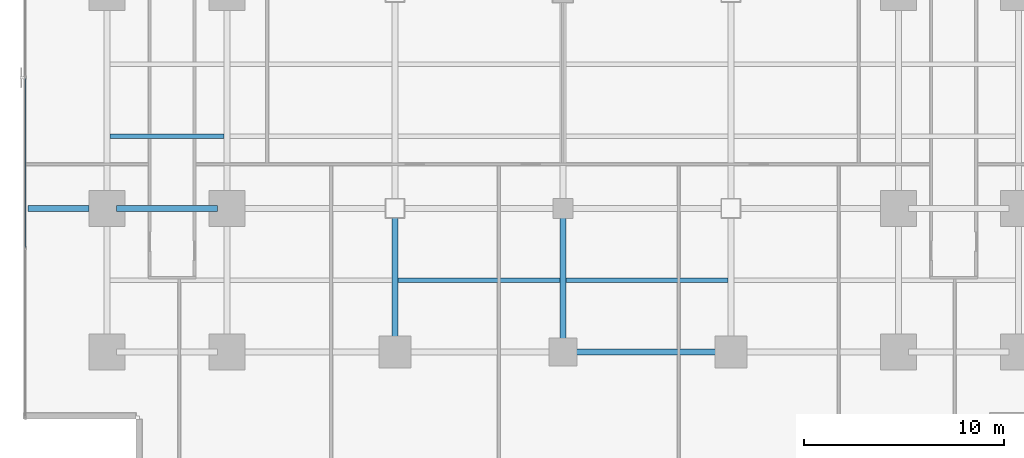
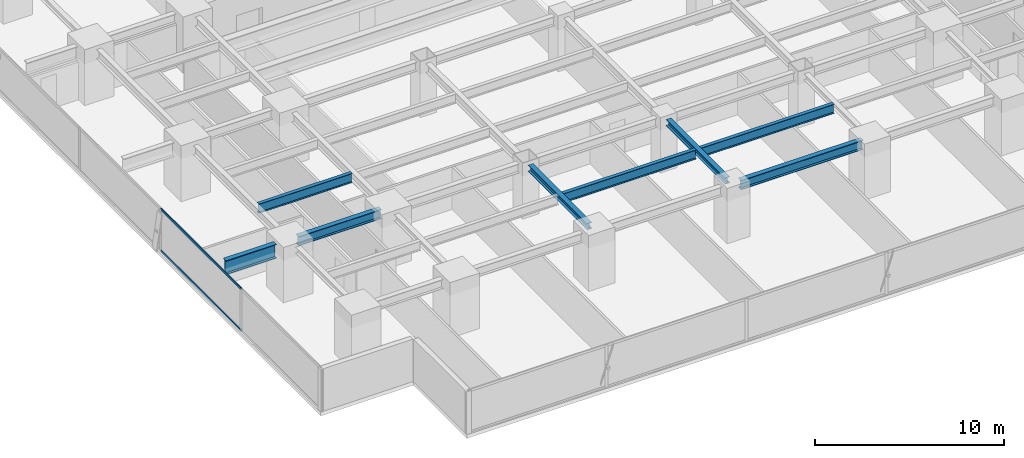
# One storey, part 6 of 33: 8 beams, 2 members, 1 element without a shape of its own.
"""IFC4 building model written with IfcOpenShell, lengths in metres."""

from ifc_helpers import new_model, si_unit, direction, frame, origin, origin_2d, place, context, subcontext, project, spatial, hollow_rectangle, i_section, extrude, source, transform, mapped, material, layer, layer_set, material_profile, profile_set, type_object, element, aggregate, save


model = new_model("IFC4")

# Units and contexts
model_context = context("Model", 3, precision=1e-05, world=origin(), true_north=direction((0.0, 1.0)))
body_context = subcontext(model_context, "Body", "Model", "MODEL_VIEW")
ifc_project = project(units=[si_unit("LENGTHUNIT", "METRE"), si_unit("AREAUNIT", "SQUARE_METRE"), si_unit("VOLUMEUNIT", "CUBIC_METRE"), si_unit("PLANEANGLEUNIT", "RADIAN"), si_unit("MASSUNIT", "GRAM", prefix="KILO")], contexts=[model_context])

# Site, building, storey
site_placement = place(None, origin())
site = spatial("IfcSite", under=ifc_project, at=site_placement, CompositionType="ELEMENT")
building_placement = place(site_placement, origin())
building = spatial("IfcBuilding", under=site, at=building_placement, Name="Sumidabori Civic Tower", CompositionType="ELEMENT")
storey_placement = place(building_placement, frame((0.0, 0.0, 38.0)))
storey = spatial("IfcBuildingStorey", under=building, at=storey_placement, Name="L09", CompositionType="ELEMENT", Elevation=38.0)

# Beams
ifc_material_1 = material(Name="Steel SN490", Category="steel")
ifc_material_profile_1 = material_profile(ifc_material_1, i_section(OverallWidth=0.300048828125, OverallDepth=0.60009765625, WebThickness=0.015380859375, FlangeThickness=0.030029296875, at=origin_2d()), Name="HE 600 B")
ifc_profile_set_1 = profile_set([ifc_material_profile_1], Name="Steel SN490")
beam_type_1 = type_object("IfcBeamType", Name="BM-GIRD-600", PredefinedType="BEAM", material=ifc_profile_set_1)
shared_shape_1 = source(origin(), body_context, "Body", "SweptSolid", [
    extrude(i_section(OverallWidth=0.300048828125, OverallDepth=0.60009765625, WebThickness=0.015380859375, FlangeThickness=0.030029296875, at=origin_2d()), origin(), (0.0, 0.0, 1.0), 5.0400390625),
])
beam_1_placement = place(storey_placement, frame((-22.320068359375, -10.800048828125, 3.06005859375), z_axis=(1.0, 0.0, 0.0), x_axis=(0.0, 1.0, 0.0)))
element("IfcBeam", 1, at=beam_1_placement, inside=storey, type_object=beam_type_1, Name="Primary Girder L09 GX-07", PredefinedType="BEAM", context=body_context, shape_type="MappedRepresentation", body=[
    mapped(shared_shape_1, transform((0.0, 0.0, 0.0), x_axis=(1.0, 0.0, 0.0), y_axis=(0.0, 1.0, 0.0), z_axis=(0.0, 0.0, 1.0), scale=1.0)),
])
shared_shape_2 = source(origin(), body_context, "Body", "SweptSolid", [
    extrude(i_section(OverallWidth=0.300048828125, OverallDepth=0.60009765625, WebThickness=0.015380859375, FlangeThickness=0.030029296875, at=origin_2d()), origin(), (0.0, 0.0, 1.0), 7.43994140625),
])
beam_2_placement = place(storey_placement, frame((0.47998046875, -18.0, 3.06005859375), z_axis=(1.0, 0.0, 0.0), x_axis=(0.0, 1.0, 0.0)))
element("IfcBeam", 2, at=beam_2_placement, inside=storey, type_object=beam_type_1, Name="Primary Girder L09 GX-04", PredefinedType="BEAM", context=body_context, shape_type="MappedRepresentation", body=[
    mapped(shared_shape_2, transform((0.0, 0.0, 0.0), x_axis=(1.0, 0.0, 0.0), y_axis=(0.0, 1.0, 0.0), z_axis=(0.0, 0.0, 1.0), scale=1.0)),
])
ifc_material_profile_2 = material_profile(ifc_material_1, i_section(OverallWidth=0.300048828125, OverallDepth=0.39990234375, WebThickness=0.013427734375, FlangeThickness=0.02392578125, at=origin_2d()), Name="HE 400 B")
ifc_profile_set_2 = profile_set([ifc_material_profile_2], Name="Steel SN490")
beam_type_2 = type_object("IfcBeamType", Name="BM-GIRD-400", PredefinedType="BEAM", material=ifc_profile_set_2)
shared_shape_3 = source(origin(), body_context, "Body", "SweptSolid", [
    extrude(i_section(OverallWidth=0.300048828125, OverallDepth=0.39990234375, WebThickness=0.013427734375, FlangeThickness=0.02392578125, at=origin_2d()), origin(), (0.0, 0.0, 1.0), 6.239990234375),
])
for number, where, z_axis, x_axis, name in (
    (3, (-8.39990234375, -17.52001953125, 3.159912109375), (0.0, 1.0, 0.0), (-1.0, 0.0, 0.0), "Primary Girder L09 GY-29"),
    (4, (0.0, -17.52001953125, 3.159912109375), (0.0, 1.0, 0.0), (-1.0, 0.0, 0.0), "Primary Girder L09 GY-31"),
):
    element("IfcBeam", number, at=place(storey_placement, frame(where, z_axis=z_axis, x_axis=x_axis)), inside=storey, type_object=beam_type_2, Name=name, PredefinedType="BEAM", context=body_context, shape_type="MappedRepresentation", body=[
        mapped(shared_shape_3, transform((0.0, 0.0, 0.0), x_axis=(1.0, 0.0, 0.0), y_axis=(0.0, 1.0, 0.0), z_axis=(0.0, 0.0, 1.0), scale=1.0)),
    ])
ifc_material_profile_3 = material_profile(ifc_material_1, i_section(OverallWidth=0.302001953125, OverallDepth=0.909912109375, WebThickness=0.02099609375, FlangeThickness=0.0400390625, at=origin_2d()), Name="HE 900 M")
ifc_profile_set_3 = profile_set([ifc_material_profile_3], Name="Steel SN490")
beam_type_3 = type_object("IfcBeamType", Name="BM-Z1-EDGE", PredefinedType="SPANDREL", material=ifc_profile_set_3)
shared_shape_4 = source(origin(), body_context, "Body", "SweptSolid", [
    extrude(i_section(OverallWidth=0.302001953125, OverallDepth=0.909912109375, WebThickness=0.02099609375, FlangeThickness=0.0400390625, at=origin_2d()), origin(), (0.0, 0.0, 1.0), 3.050048828125),
])
beam_3_placement = place(storey_placement, frame((-26.75, -10.800048828125, 2.905029296875), z_axis=(1.0, 0.0, 0.0), x_axis=(0.0, 1.0, 0.0)))
element("IfcBeam", 5, at=beam_3_placement, inside=storey, type_object=beam_type_3, Name="Perimeter Overhang Beam L09 W-44", PredefinedType="SPANDREL", context=body_context, shape_type="MappedRepresentation", body=[
    mapped(shared_shape_4, transform((0.0, 0.0, 0.0), x_axis=(1.0, 0.0, 0.0), y_axis=(0.0, 1.0, 0.0), z_axis=(0.0, 0.0, 1.0), scale=1.0)),
])
ifc_material_profile_4 = material_profile(ifc_material_1, i_section(OverallWidth=0.219970703125, OverallDepth=0.60009765625, WebThickness=0.011962890625, FlangeThickness=0.01904296875, at=origin_2d()), Name="IPE 600")
ifc_profile_set_4 = profile_set([ifc_material_profile_4], Name="Steel SN490")
beam_type_4 = type_object("IfcBeamType", Name="BM-JST-600", PredefinedType="JOIST", material=ifc_profile_set_4)
shared_shape_5 = source(origin(), body_context, "Body", "SweptSolid", [
    extrude(i_section(OverallWidth=0.219970703125, OverallDepth=0.60009765625, WebThickness=0.011962890625, FlangeThickness=0.01904296875, at=origin_2d()), origin(), (0.0, 0.0, 1.0), 5.699951171875),
])
beam_4_placement = place(storey_placement, frame((-22.64990234375, -7.199951171875, 3.06005859375), z_axis=(1.0, 0.0, 0.0), x_axis=(0.0, 1.0, 0.0)))
element("IfcBeam", 6, at=beam_4_placement, inside=storey, type_object=beam_type_4, Name="Outer Bay Floor Joist L09 JSTO-49", PredefinedType="JOIST", context=body_context, shape_type="MappedRepresentation", body=[
    mapped(shared_shape_5, transform((0.0, 0.0, 0.0), x_axis=(1.0, 0.0, 0.0), y_axis=(0.0, 1.0, 0.0), z_axis=(0.0, 0.0, 1.0), scale=1.0)),
])
shared_shape_6 = source(origin(), body_context, "Body", "SweptSolid", [
    extrude(i_section(OverallWidth=0.219970703125, OverallDepth=0.60009765625, WebThickness=0.011962890625, FlangeThickness=0.01904296875, at=origin_2d()), origin(), (0.0, 0.0, 1.0), 8.10009765625),
])
for number, where, z_axis, x_axis, name in (
    (7, (-8.25, -14.39990234375, 3.06005859375), (1.0, 0.0, 0.0), (0.0, 1.0, 0.0), "South Bay Floor Joist L09 JSTS-62"),
    (8, (0.14990234375, -14.39990234375, 3.06005859375), (1.0, 0.0, 0.0), (0.0, 1.0, 0.0), "South Bay Floor Joist L09 JSTS-63"),
):
    element("IfcBeam", number, at=place(storey_placement, frame(where, z_axis=z_axis, x_axis=x_axis)), inside=storey, type_object=beam_type_4, Name=name, PredefinedType="JOIST", context=body_context, shape_type="MappedRepresentation", body=[
        mapped(shared_shape_6, transform((0.0, 0.0, 0.0), x_axis=(1.0, 0.0, 0.0), y_axis=(0.0, 1.0, 0.0), z_axis=(0.0, 0.0, 1.0), scale=1.0)),
    ])

# Curtain wall, members
ifc_material_2 = material(Name="Anodised Bronze Aluminium AW-6063-T6", Category="aluminium")
ifc_layer = layer(ifc_material_2, 0.179931640625, Name="Anodised Bronze Aluminium AW-6063-T6")
ifc_layer_set = layer_set([ifc_layer], Name="Anodised Bronze Aluminium AW-6063-T6")
curtain_wall_type = type_object("IfcCurtainWallType", Name="CW-SYS-2", PredefinedType="NOTDEFINED", material=ifc_layer_set)
curtain_wall_placement = place(storey_placement, origin())
curtain_wall = element("IfcCurtainWall", 9, at=curtain_wall_placement, inside=storey, type_object=curtain_wall_type, Name="Curtain Wall CW:L09:R10", PredefinedType="NOTDEFINED")
ifc_material_profile_5 = material_profile(ifc_material_2, hollow_rectangle(XDim=0.06494140625, YDim=0.14990234375, WallThickness=0.0048828125, at=origin_2d()), Name="ALU TRANSOM 150x65")
ifc_profile_set_5 = profile_set([ifc_material_profile_5], Name="Anodised Bronze Aluminium AW-6063-T6")
member_type = type_object("IfcMemberType", Name="CW-TRN-150", PredefinedType="USERDEFINED", material=ifc_profile_set_5)
shared_shape_7 = source(origin(), body_context, "Body", "SweptSolid", [
    extrude(hollow_rectangle(XDim=0.06494140625, YDim=0.14990234375, WallThickness=0.0048828125, at=origin_2d()), origin(), (0.0, 0.0, 1.0), 8.4580078125),
])
member_1_placement = place(storey_placement, frame((-26.8798828125, -4.299072265625, 0.032470703125), z_axis=(0.0, -1.0, 0.0), x_axis=(1.0, 0.0, 0.0)))
member_1 = element("IfcMember", 10, at=member_1_placement, type_object=member_type, Name="CW-2 transom 4.1", ObjectType="TRANSOM", PredefinedType="USERDEFINED", context=body_context, shape_type="MappedRepresentation", body=[
    mapped(shared_shape_7, transform((0.0, 0.0, 0.0), x_axis=(1.0, 0.0, 0.0), y_axis=(0.0, 1.0, 0.0), z_axis=(0.0, 0.0, 1.0), scale=1.0)),
])
member_2_placement = place(storey_placement, frame((-26.8798828125, -4.299072265625, 2.70751953125), z_axis=(0.0, -1.0, 0.0), x_axis=(1.0, 0.0, 0.0)))
member_2 = element("IfcMember", 11, at=member_2_placement, type_object=member_type, Name="CW-2 transom 4.2", ObjectType="TRANSOM", PredefinedType="USERDEFINED", context=body_context, shape_type="MappedRepresentation", body=[
    mapped(shared_shape_7, transform((0.0, 0.0, 0.0), x_axis=(1.0, 0.0, 0.0), y_axis=(0.0, 1.0, 0.0), z_axis=(0.0, 0.0, 1.0), scale=1.0)),
])
aggregate(curtain_wall, [member_1, member_2])

save(model, "model.ifc")
